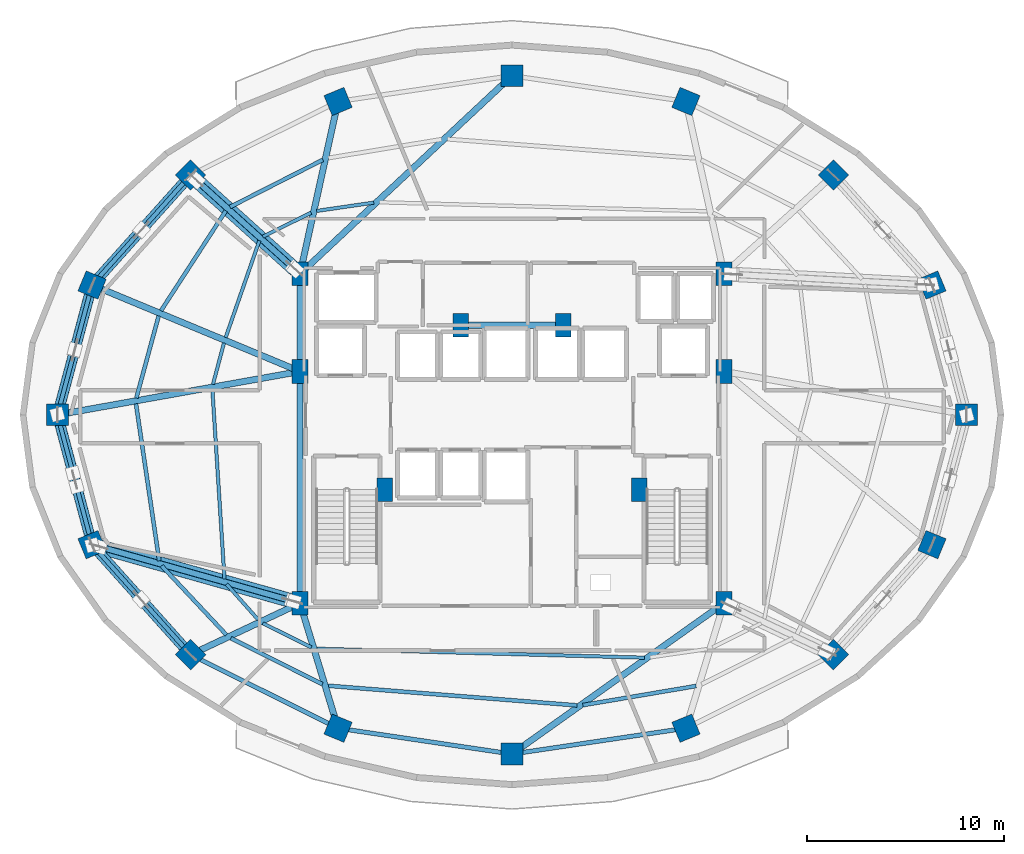
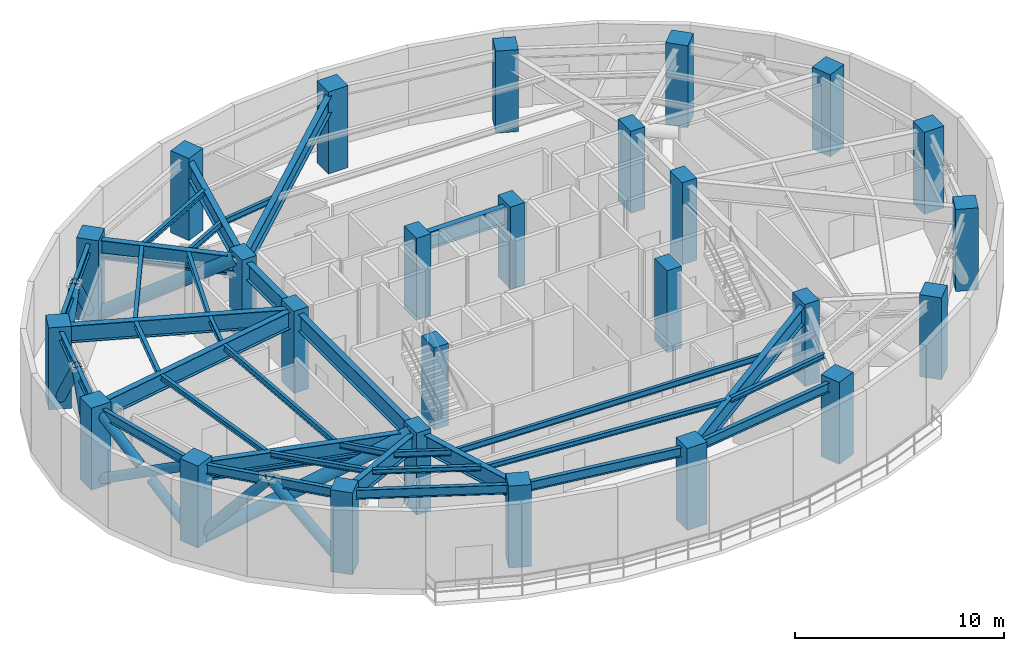
# One storey, part 1 of 11: 35 beams, 26 columns, 13 members.
"""IFC4 building model written with IfcOpenShell, lengths in metres."""

from ifc_helpers import new_model, si_unit, direction, frame, origin, origin_2d, place, context, subcontext, project, spatial, rectangle, hollow_rectangle, hollow_circle, i_section, extrude, material, material_profile, profile_set, type_object, element, save


model = new_model("IFC4")

# Units and contexts
model_context = context("Model", 3, precision=1e-05, world=origin(), true_north=direction((0.0, 1.0)))
body_context = subcontext(model_context, "Body", "Model", "MODEL_VIEW")
ifc_project = project(units=[si_unit("LENGTHUNIT", "METRE"), si_unit("AREAUNIT", "SQUARE_METRE"), si_unit("VOLUMEUNIT", "CUBIC_METRE"), si_unit("PLANEANGLEUNIT", "RADIAN"), si_unit("MASSUNIT", "GRAM", prefix="KILO")], contexts=[model_context])

# Site, building, storey
site_placement = place(None, origin())
site = spatial("IfcSite", under=ifc_project, at=site_placement, CompositionType="ELEMENT")
building_placement = place(site_placement, origin())
building = spatial("IfcBuilding", under=site, at=building_placement, Name="Vorneva Point Tower", CompositionType="ELEMENT")
storey_placement = place(building_placement, frame((0.0, 0.0, 124.300048828125)))
storey = spatial("IfcBuildingStorey", under=building, at=storey_placement, Name="L33", CompositionType="ELEMENT", Elevation=124.300048828125)

# Columns
ifc_material_1 = material(Name="Concrete B60 (C50/60)", Category="concrete")
ifc_material_profile_1 = material_profile(ifc_material_1, rectangle(XDim=1.10009765625, YDim=1.10009765625, at=origin_2d()), Name="RC-COL 1100x1100")
ifc_profile_set_1 = profile_set([ifc_material_profile_1], Name="Concrete B60 (C50/60)")
column_type_1 = type_object("IfcColumnType", Name="COL-RC1100", PredefinedType="COLUMN", material=ifc_profile_set_1)
for number, where, z_axis, x_axis, name in (
    (1, (61.050048828125, 26.0, 0.0), (0.0, 0.0, 1.0), (1.0, 0.0, 0.0), "L33 Perimeter Column P01"),
    (2, (59.29541015625, 32.582275390625, 0.0), (0.0, 0.0, 1.0), (0.923879532511, 0.382683432365, 0.0), "L33 Perimeter Column P02"),
    (3, (54.298828125, 38.162109375, 0.0), (0.0, 0.0, 1.0), (0.707106781187, 0.707106781187, 0.0), "L33 Perimeter Column P03"),
    (4, (46.82080078125, 41.890625, 0.0), (0.0, 0.0, 1.0), (0.382683432365, 0.923879532511, 0.0), "L33 Perimeter Column P04"),
    (5, (38.0, 43.199951171875, 0.0), (0.0, 0.0, 1.0), (0.0, 1.0, 0.0), "L33 Perimeter Column P05"),
    (6, (29.17919921875, 41.890625, 0.0), (0.0, 0.0, 1.0), (-0.382683432365, 0.923879532511, 0.0), "L33 Perimeter Column P06"),
    (7, (21.701171875, 38.162109375, 0.0), (0.0, 0.0, 1.0), (-0.707106781187, 0.707106781187, 0.0), "L33 Perimeter Column P07"),
    (8, (16.70458984375, 32.582275390625, 0.0), (0.0, 0.0, 1.0), (-0.923879532511, 0.382683432365, 0.0), "L33 Perimeter Column P08"),
    (9, (14.949951171875, 26.0, 0.0), (0.0, 0.0, 1.0), (-1.0, 0.0, 0.0), "L33 Perimeter Column P09"),
    (10, (16.70458984375, 19.417724609375, 0.0), (0.0, 0.0, 1.0), (-0.923879532511, -0.382683432365, 0.0), "L33 Perimeter Column P10"),
    (11, (21.701171875, 13.837890625, 0.0), (0.0, 0.0, 1.0), (-0.707106781187, -0.707106781187, 0.0), "L33 Perimeter Column P11"),
    (12, (29.17919921875, 10.109375, 0.0), (0.0, 0.0, 1.0), (-0.382683432365, -0.923879532511, 0.0), "L33 Perimeter Column P12"),
    (13, (38.0, 8.800048828125, 0.0), (0.0, 0.0, 1.0), (0.0, -1.0, 0.0), "L33 Perimeter Column P13"),
    (14, (46.82080078125, 10.109375, 0.0), (0.0, 0.0, 1.0), (0.382683432365, -0.923879532511, 0.0), "L33 Perimeter Column P14"),
    (15, (54.298828125, 13.837890625, 0.0), (0.0, 0.0, 1.0), (0.707106781187, -0.707106781187, 0.0), "L33 Perimeter Column P15"),
    (16, (59.29541015625, 19.417724609375, 0.0), (0.0, 0.0, 1.0), (0.923879532511, -0.382683432365, 0.0), "L33 Perimeter Column P16"),
):
    element("IfcColumn", number, at=place(storey_placement, frame(where, z_axis=z_axis, x_axis=x_axis)), inside=storey, type_object=column_type_1, Name=name, PredefinedType="COLUMN", context=body_context, shape_type="SweptSolid", body=[
        extrude(rectangle(XDim=1.10009765625, YDim=1.10009765625, at=origin_2d()), origin(), (0.0, 0.0, 1.0), 4.800048828125),
    ])
ifc_material_profile_2 = material_profile(ifc_material_1, rectangle(XDim=0.800048828125, YDim=1.199951171875, at=origin_2d()), Name="RC-PIL 1200x800")
ifc_profile_set_2 = profile_set([ifc_material_profile_2], Name="Concrete B60 (C50/60)")
column_type_2 = type_object("IfcColumnType", Name="PIL-RC1200x800", PredefinedType="PILASTER", material=ifc_profile_set_2)
for number, where, z_axis, x_axis, name in (
    (17, (27.25, 16.449951171875, 0.0), (0.0, 0.0, 1.0), (1.0, 0.0, 0.0), "L33 Core Pilaster CP1"),
    (18, (27.25, 28.199951171875, 0.0), (0.0, 0.0, 1.0), (1.0, 0.0, 0.0), "L33 Core Pilaster CP2"),
    (19, (27.25, 33.14990234375, 0.0), (0.0, 0.0, 1.0), (1.0, 0.0, 0.0), "L33 Core Pilaster CP3"),
    (20, (31.550048828125, 22.199951171875, 0.0), (0.0, 0.0, 1.0), (1.0, 0.0, 0.0), "L33 Core Pilaster CP4"),
    (21, (48.75, 33.14990234375, 0.0), (0.0, 0.0, 1.0), (1.0, 0.0, 0.0), "L33 Core Pilaster CP5"),
    (22, (48.75, 28.199951171875, 0.0), (0.0, 0.0, 1.0), (1.0, 0.0, 0.0), "L33 Core Pilaster CP6"),
    (23, (48.75, 16.449951171875, 0.0), (0.0, 0.0, 1.0), (1.0, 0.0, 0.0), "L33 Core Pilaster CP7"),
    (24, (44.449951171875, 22.199951171875, 0.0), (0.0, 0.0, 1.0), (1.0, 0.0, 0.0), "L33 Core Pilaster CP8"),
    (25, (35.39990234375, 30.550048828125, 0.0), (0.0, 0.0, 1.0), (1.0, 0.0, 0.0), "L33 Core Pilaster CP9"),
    (26, (40.60009765625, 30.550048828125, 0.0), (0.0, 0.0, 1.0), (1.0, 0.0, 0.0), "L33 Core Pilaster CP10"),
):
    element("IfcColumn", number, at=place(storey_placement, frame(where, z_axis=z_axis, x_axis=x_axis)), inside=storey, type_object=column_type_2, Name=name, PredefinedType="PILASTER", context=body_context, shape_type="SweptSolid", body=[
        extrude(rectangle(XDim=0.800048828125, YDim=1.199951171875, at=origin_2d()), origin(), (0.0, 0.0, 1.0), 4.800048828125),
    ])

# Beams
ifc_material_2 = material(Name="Steel S460", Category="steel")
ifc_material_profile_3 = material_profile(ifc_material_2, i_section(OverallWidth=0.320068359375, OverallDepth=0.998046875, WebThickness=0.01708984375, FlangeThickness=0.027099609375, at=origin_2d()), Name="100Sh2")
ifc_profile_set_3 = profile_set([ifc_material_profile_3], Name="Steel S460")
beam_type_1 = type_object("IfcBeamType", Name="BM-GRD-100Sh2", PredefinedType="USERDEFINED", material=ifc_profile_set_3)
beam_1_placement = place(storey_placement, frame((37.60693359375, 42.83251953125, 4.041015625), z_axis=(-0.730488863256, -0.682924608327, 0.0), x_axis=(0.682924608327, -0.730488863256, 0.0)))
element("IfcBeam", 27, at=beam_1_placement, inside=storey, type_object=beam_type_1, Name="L33 Radial Primary Girder 05", ObjectType="GIRDER", PredefinedType="USERDEFINED", context=body_context, shape_type="SweptSolid", body=[
    extrude(i_section(OverallWidth=0.320068359375, OverallDepth=0.998046875, WebThickness=0.01708984375, FlangeThickness=0.027099609375, at=origin_2d()), origin(), (0.0, 0.0, 1.0), 13.838134765625),
])
beam_2_placement = place(storey_placement, frame((29.063232421875, 41.365234375, 4.041015625), z_axis=(-0.215530944428, -0.976497010745, 0.0), x_axis=(0.976497010745, -0.215530944428, 0.0)))
element("IfcBeam", 28, at=beam_2_placement, inside=storey, type_object=beam_type_1, Name="L33 Radial Primary Girder 06", ObjectType="GIRDER", PredefinedType="USERDEFINED", context=body_context, shape_type="SweptSolid", body=[
    extrude(i_section(OverallWidth=0.320068359375, OverallDepth=0.998046875, WebThickness=0.01708984375, FlangeThickness=0.027099609375, at=origin_2d()), origin(), (0.0, 0.0, 1.0), 8.072998046875),
])
beam_3_placement = place(storey_placement, frame((22.100341796875, 37.801513671875, 4.041015625), z_axis=(0.742097300344, -0.670292172729, 0.0), x_axis=(0.670292172729, 0.742097300344, 0.0)))
element("IfcBeam", 29, at=beam_3_placement, inside=storey, type_object=beam_type_1, Name="L33 Radial Primary Girder 07", ObjectType="GIRDER", PredefinedType="USERDEFINED", context=body_context, shape_type="SweptSolid", body=[
    extrude(i_section(OverallWidth=0.320068359375, OverallDepth=0.998046875, WebThickness=0.01708984375, FlangeThickness=0.027099609375, at=origin_2d()), origin(), (0.0, 0.0, 1.0), 6.599365234375),
])
beam_4_placement = place(storey_placement, frame((17.201416015625, 32.375732421875, 4.041015625), z_axis=(0.923444451211, -0.383732127307, 0.0), x_axis=(0.383732127307, 0.923444451211, 0.0)))
element("IfcBeam", 30, at=beam_4_placement, inside=storey, type_object=beam_type_1, Name="L33 Radial Primary Girder 08", ObjectType="GIRDER", PredefinedType="USERDEFINED", context=body_context, shape_type="SweptSolid", body=[
    extrude(i_section(OverallWidth=0.320068359375, OverallDepth=0.998046875, WebThickness=0.01708984375, FlangeThickness=0.027099609375, at=origin_2d()), origin(), (0.0, 0.0, 1.0), 10.541748046875),
])
beam_5_placement = place(storey_placement, frame((15.4794921875, 26.0947265625, 4.041015625), z_axis=(0.984378310682, 0.176066298476, 0.0), x_axis=(-0.176066298476, 0.984378310682, 0.0)))
element("IfcBeam", 31, at=beam_5_placement, inside=storey, type_object=beam_type_1, Name="L33 Radial Primary Girder 09", ObjectType="GIRDER", PredefinedType="USERDEFINED", context=body_context, shape_type="SweptSolid", body=[
    extrude(i_section(OverallWidth=0.320068359375, OverallDepth=0.998046875, WebThickness=0.01708984375, FlangeThickness=0.027099609375, at=origin_2d()), origin(), (0.0, 0.0, 1.0), 11.6171875),
])
beam_6_placement = place(storey_placement, frame((17.222412109375, 19.272216796875, 4.041015625), z_axis=(0.962598038366, -0.270933601708, 0.0), x_axis=(0.270933601708, 0.962598038366, 0.0)))
element("IfcBeam", 32, at=beam_6_placement, inside=storey, type_object=beam_type_1, Name="L33 Radial Primary Girder 10", ObjectType="GIRDER", PredefinedType="USERDEFINED", context=body_context, shape_type="SweptSolid", body=[
    extrude(i_section(OverallWidth=0.320068359375, OverallDepth=0.998046875, WebThickness=0.01708984375, FlangeThickness=0.027099609375, at=origin_2d()), origin(), (0.0, 0.0, 1.0), 10.0771484375),
])
beam_7_placement = place(storey_placement, frame((22.18798828125, 14.06689453125, 4.041015625), z_axis=(0.904751304927, 0.425940226126, 0.0), x_axis=(-0.425940226126, 0.904751304927, 0.0)))
element("IfcBeam", 33, at=beam_7_placement, inside=storey, type_object=beam_type_1, Name="L33 Radial Primary Girder 11", ObjectType="GIRDER", PredefinedType="USERDEFINED", context=body_context, shape_type="SweptSolid", body=[
    extrude(i_section(OverallWidth=0.320068359375, OverallDepth=0.998046875, WebThickness=0.01708984375, FlangeThickness=0.027099609375, at=origin_2d()), origin(), (0.0, 0.0, 1.0), 5.2548828125),
])
beam_8_placement = place(storey_placement, frame((29.0224609375, 10.6240234375, 4.041015625), z_axis=(-0.291034888253, 0.956712440506, 0.0), x_axis=(-0.956712440506, -0.291034888253, 0.0)))
element("IfcBeam", 34, at=beam_8_placement, inside=storey, type_object=beam_type_1, Name="L33 Radial Primary Girder 12", ObjectType="GIRDER", PredefinedType="USERDEFINED", context=body_context, shape_type="SweptSolid", body=[
    extrude(i_section(OverallWidth=0.320068359375, OverallDepth=0.998046875, WebThickness=0.01708984375, FlangeThickness=0.027099609375, at=origin_2d()), origin(), (0.0, 0.0, 1.0), 5.74951171875),
])
beam_9_placement = place(storey_placement, frame((38.438232421875, 9.11181640625, 4.041015625), z_axis=(0.814750142675, 0.5798122153, 0.0), x_axis=(-0.5798122153, 0.814750142675, 0.0)))
element("IfcBeam", 35, at=beam_9_placement, inside=storey, type_object=beam_type_1, Name="L33 Radial Primary Girder 13", ObjectType="GIRDER", PredefinedType="USERDEFINED", context=body_context, shape_type="SweptSolid", body=[
    extrude(i_section(OverallWidth=0.320068359375, OverallDepth=0.998046875, WebThickness=0.01708984375, FlangeThickness=0.027099609375, at=origin_2d()), origin(), (0.0, 0.0, 1.0), 12.316162109375),
])
beam_10_placement = place(storey_placement, frame((27.25, 16.77001953125, 4.041015625), z_axis=(0.0, 1.0, 0.0), x_axis=(-1.0, 0.0, 0.0)))
element("IfcBeam", 36, at=beam_10_placement, inside=storey, type_object=beam_type_1, Name="L33 Core Tie Girder CT1", ObjectType="GIRDER", PredefinedType="USERDEFINED", context=body_context, shape_type="SweptSolid", body=[
    extrude(i_section(OverallWidth=0.320068359375, OverallDepth=0.998046875, WebThickness=0.01708984375, FlangeThickness=0.027099609375, at=origin_2d()), origin(), (0.0, 0.0, 1.0), 11.10986328125),
])
beam_11_placement = place(storey_placement, frame((27.25, 28.52001953125, 4.041015625), z_axis=(0.0, 1.0, 0.0), x_axis=(-1.0, 0.0, 0.0)))
element("IfcBeam", 37, at=beam_11_placement, inside=storey, type_object=beam_type_1, Name="L33 Core Tie Girder CT2", ObjectType="GIRDER", PredefinedType="USERDEFINED", context=body_context, shape_type="SweptSolid", body=[
    extrude(i_section(OverallWidth=0.320068359375, OverallDepth=0.998046875, WebThickness=0.01708984375, FlangeThickness=0.027099609375, at=origin_2d()), origin(), (0.0, 0.0, 1.0), 4.31005859375),
])
beam_12_placement = place(storey_placement, frame((35.719970703125, 30.550048828125, 4.041015625), z_axis=(1.0, 0.0, 0.0), x_axis=(0.0, 1.0, 0.0)))
element("IfcBeam", 38, at=beam_12_placement, inside=storey, type_object=beam_type_1, Name="L33 Core Tie Girder CT8", ObjectType="GIRDER", PredefinedType="USERDEFINED", context=body_context, shape_type="SweptSolid", body=[
    extrude(i_section(OverallWidth=0.320068359375, OverallDepth=0.998046875, WebThickness=0.01708984375, FlangeThickness=0.027099609375, at=origin_2d()), origin(), (0.0, 0.0, 1.0), 4.56005859375),
])
ifc_material_3 = material(Name="Steel S355", Category="steel")
ifc_material_profile_4 = material_profile(ifc_material_3, i_section(OverallWidth=0.199951171875, OverallDepth=0.291015625, WebThickness=0.008056640625, FlangeThickness=0.010986328125, at=origin_2d()), Name="30Sh1")
ifc_profile_set_4 = profile_set([ifc_material_profile_4], Name="Steel S355")
beam_type_2 = type_object("IfcBeamType", Name="BM-SEC-30Sh1", PredefinedType="BEAM", material=ifc_profile_set_4)
beam_13_placement = place(storey_placement, frame((28.4091796875, 38.933349609375, 4.39453125), z_axis=(-0.89153293494, -0.452955876347, 0.0), x_axis=(0.452955876347, -0.89153293494, 0.0)))
element("IfcBeam", 39, at=beam_13_placement, inside=storey, type_object=beam_type_2, Name="L33 Secondary Floor Beam 1.06", PredefinedType="BEAM", context=body_context, shape_type="SweptSolid", body=[
    extrude(i_section(OverallWidth=0.199951171875, OverallDepth=0.291015625, WebThickness=0.008056640625, FlangeThickness=0.010986328125, at=origin_2d()), origin(), (0.0, 0.0, 1.0), 5.280517578125),
])
beam_14_placement = place(storey_placement, frame((23.489013671875, 36.350341796875, 4.39453125), z_axis=(-0.544411108099, -0.838818541389, 0.0), x_axis=(0.838818541389, -0.544411108099, 0.0)))
element("IfcBeam", 40, at=beam_14_placement, inside=storey, type_object=beam_type_2, Name="L33 Secondary Floor Beam 1.07", PredefinedType="BEAM", context=body_context, shape_type="SweptSolid", body=[
    extrude(i_section(OverallWidth=0.199951171875, OverallDepth=0.291015625, WebThickness=0.008056640625, FlangeThickness=0.010986328125, at=origin_2d()), origin(), (0.0, 0.0, 1.0), 6.037109375),
])
beam_15_placement = place(storey_placement, frame((20.0830078125, 31.019287109375, 4.39453125), z_axis=(-0.262471732152, -0.96493968196, 0.0), x_axis=(0.96493968196, -0.262471732152, 0.0)))
element("IfcBeam", 41, at=beam_15_placement, inside=storey, type_object=beam_type_2, Name="L33 Secondary Floor Beam 1.08", PredefinedType="BEAM", context=body_context, shape_type="SweptSolid", body=[
    extrude(i_section(OverallWidth=0.199951171875, OverallDepth=0.291015625, WebThickness=0.008056640625, FlangeThickness=0.010986328125, at=origin_2d()), origin(), (0.0, 0.0, 1.0), 4.319580078125),
])
beam_16_placement = place(storey_placement, frame((18.931884765625, 26.56201171875, 4.39453125), z_axis=(0.146468415765, -0.989215347224, 0.0), x_axis=(0.989215347224, 0.146468415765, 0.0)))
element("IfcBeam", 42, at=beam_16_placement, inside=storey, type_object=beam_type_2, Name="L33 Secondary Floor Beam 1.09", PredefinedType="BEAM", context=body_context, shape_type="SweptSolid", body=[
    extrude(i_section(OverallWidth=0.199951171875, OverallDepth=0.291015625, WebThickness=0.008056640625, FlangeThickness=0.010986328125, at=origin_2d()), origin(), (0.0, 0.0, 1.0), 8.04931640625),
])
beam_17_placement = place(storey_placement, frame((20.23388671875, 18.34521484375, 4.39453125), z_axis=(0.683851365985, -0.729621346481, 0.0), x_axis=(0.729621346481, 0.683851365985, 0.0)))
element("IfcBeam", 43, at=beam_17_placement, inside=storey, type_object=beam_type_2, Name="L33 Secondary Floor Beam 1.10", PredefinedType="BEAM", context=body_context, shape_type="SweptSolid", body=[
    extrude(i_section(OverallWidth=0.199951171875, OverallDepth=0.291015625, WebThickness=0.008056640625, FlangeThickness=0.010986328125, at=origin_2d()), origin(), (0.0, 0.0, 1.0), 4.79541015625),
])
beam_18_placement = place(storey_placement, frame((23.74658203125, 14.672119140625, 4.39453125), z_axis=(0.893598428957, -0.448867294159, 0.0), x_axis=(0.448867294159, 0.893598428957, 0.0)))
element("IfcBeam", 44, at=beam_18_placement, inside=storey, type_object=beam_type_2, Name="L33 Secondary Floor Beam 1.11", PredefinedType="BEAM", context=body_context, shape_type="SweptSolid", body=[
    extrude(i_section(OverallWidth=0.199951171875, OverallDepth=0.291015625, WebThickness=0.008056640625, FlangeThickness=0.010986328125, at=origin_2d()), origin(), (0.0, 0.0, 1.0), 5.1943359375),
])
beam_19_placement = place(storey_placement, frame((28.66796875, 12.2626953125, 4.39453125), z_axis=(0.996901489016, -0.078660162711, 0.0), x_axis=(0.078660162711, 0.996901489016, 0.0)))
element("IfcBeam", 45, at=beam_19_placement, inside=storey, type_object=beam_type_2, Name="L33 Secondary Floor Beam 1.12", PredefinedType="BEAM", context=body_context, shape_type="SweptSolid", body=[
    extrude(i_section(OverallWidth=0.199951171875, OverallDepth=0.291015625, WebThickness=0.008056640625, FlangeThickness=0.010986328125, at=origin_2d()), origin(), (0.0, 0.0, 1.0), 12.672607421875),
])
beam_20_placement = place(storey_placement, frame((41.594482421875, 11.27880859375, 4.39453125), z_axis=(0.985995426294, 0.166772357806, 0.0), x_axis=(-0.166772357806, 0.985995426294, 0.0)))
element("IfcBeam", 46, at=beam_20_placement, inside=storey, type_object=beam_type_2, Name="L33 Secondary Floor Beam 1.13", PredefinedType="BEAM", context=body_context, shape_type="SweptSolid", body=[
    extrude(i_section(OverallWidth=0.199951171875, OverallDepth=0.291015625, WebThickness=0.008056640625, FlangeThickness=0.010986328125, at=origin_2d()), origin(), (0.0, 0.0, 1.0), 5.820556640625),
])
ifc_material_profile_5 = material_profile(ifc_material_3, i_section(OverallWidth=0.174072265625, OverallDepth=0.345947265625, WebThickness=0.006103515625, FlangeThickness=0.009033203125, at=origin_2d()), Name="35B1")
ifc_profile_set_5 = profile_set([ifc_material_profile_5], Name="Steel S355")
beam_type_3 = type_object("IfcBeamType", Name="BM-SEC-35B1", PredefinedType="BEAM", material=ifc_profile_set_5)
beam_21_placement = place(storey_placement, frame((30.990966796875, 36.762939453125, 4.366943359375), z_axis=(-0.989558538427, -0.144131533766, 0.0), x_axis=(0.144131533766, -0.989558538427, 0.0)))
element("IfcBeam", 47, at=beam_21_placement, inside=storey, type_object=beam_type_3, Name="L33 Secondary Floor Beam 2.05", PredefinedType="BEAM", context=body_context, shape_type="SweptSolid", body=[
    extrude(i_section(OverallWidth=0.174072265625, OverallDepth=0.345947265625, WebThickness=0.006103515625, FlangeThickness=0.009033203125, at=origin_2d()), origin(), (0.0, 0.0, 1.0), 2.92529296875),
])
beam_22_placement = place(storey_placement, frame((27.817138671875, 36.254150390625, 4.366943359375), z_axis=(-0.895477689977, -0.445106399363, 0.0), x_axis=(0.445106399363, -0.895477689977, 0.0)))
element("IfcBeam", 48, at=beam_22_placement, inside=storey, type_object=beam_type_3, Name="L33 Secondary Floor Beam 2.06", PredefinedType="BEAM", context=body_context, shape_type="SweptSolid", body=[
    extrude(i_section(OverallWidth=0.174072265625, OverallDepth=0.345947265625, WebThickness=0.006103515625, FlangeThickness=0.009033203125, at=origin_2d()), origin(), (0.0, 0.0, 1.0), 2.73583984375),
])
beam_23_placement = place(storey_placement, frame((25.18603515625, 34.83056640625, 4.366943359375), z_axis=(-0.328529743504, -0.944493624983, 0.0), x_axis=(0.944493624983, -0.328529743504, 0.0)))
element("IfcBeam", 49, at=beam_23_placement, inside=storey, type_object=beam_type_3, Name="L33 Secondary Floor Beam 2.07", PredefinedType="BEAM", context=body_context, shape_type="SweptSolid", body=[
    extrude(i_section(OverallWidth=0.174072265625, OverallDepth=0.345947265625, WebThickness=0.006103515625, FlangeThickness=0.009033203125, at=origin_2d()), origin(), (0.0, 0.0, 1.0), 5.192138671875),
])
beam_24_placement = place(storey_placement, frame((23.3935546875, 29.643798828125, 4.366943359375), z_axis=(-0.256780092362, -0.966469856833, 0.0), x_axis=(0.966469856833, -0.256780092362, 0.0)))
element("IfcBeam", 50, at=beam_24_placement, inside=storey, type_object=beam_type_3, Name="L33 Secondary Floor Beam 2.08", PredefinedType="BEAM", context=body_context, shape_type="SweptSolid", body=[
    extrude(i_section(OverallWidth=0.174072265625, OverallDepth=0.345947265625, WebThickness=0.006103515625, FlangeThickness=0.009033203125, at=origin_2d()), origin(), (0.0, 0.0, 1.0), 2.169677734375),
])
beam_25_placement = place(storey_placement, frame((22.807861328125, 27.256103515625, 4.366943359375), z_axis=(0.063862847516, -0.99795868487, 0.0), x_axis=(0.99795868487, 0.063862847516, 0.0)))
element("IfcBeam", 51, at=beam_25_placement, inside=storey, type_object=beam_type_3, Name="L33 Secondary Floor Beam 2.09", PredefinedType="BEAM", context=body_context, shape_type="SweptSolid", body=[
    extrude(i_section(OverallWidth=0.174072265625, OverallDepth=0.345947265625, WebThickness=0.006103515625, FlangeThickness=0.009033203125, at=origin_2d()), origin(), (0.0, 0.0, 1.0), 9.60302734375),
])
beam_26_placement = place(storey_placement, frame((23.52880859375, 17.414306640625, 4.366943359375), z_axis=(0.664370116286, -0.747403738675, 0.0), x_axis=(0.747403738675, 0.664370116286, 0.0)))
element("IfcBeam", 52, at=beam_26_placement, inside=storey, type_object=beam_type_3, Name="L33 Secondary Floor Beam 2.10", PredefinedType="BEAM", context=body_context, shape_type="SweptSolid", body=[
    extrude(i_section(OverallWidth=0.174072265625, OverallDepth=0.345947265625, WebThickness=0.006103515625, FlangeThickness=0.009033203125, at=origin_2d()), origin(), (0.0, 0.0, 1.0), 2.4140625),
])
beam_27_placement = place(storey_placement, frame((25.36328125, 15.43359375, 4.366943359375), z_axis=(0.895120212306, -0.445824859693, 0.0), x_axis=(0.445824859693, 0.895120212306, 0.0)))
element("IfcBeam", 53, at=beam_27_placement, inside=storey, type_object=beam_type_3, Name="L33 Secondary Floor Beam 2.11", PredefinedType="BEAM", context=body_context, shape_type="SweptSolid", body=[
    extrude(i_section(OverallWidth=0.174072265625, OverallDepth=0.345947265625, WebThickness=0.006103515625, FlangeThickness=0.009033203125, at=origin_2d()), origin(), (0.0, 0.0, 1.0), 2.74365234375),
])
beam_28_placement = place(storey_placement, frame((28.099365234375, 14.140380859375, 4.366943359375), z_axis=(0.99962664507, -0.027323441686, 0.0), x_axis=(0.027323441686, 0.99962664507, 0.0)))
element("IfcBeam", 54, at=beam_28_placement, inside=storey, type_object=beam_type_3, Name="L33 Secondary Floor Beam 2.12", PredefinedType="BEAM", context=body_context, shape_type="SweptSolid", body=[
    extrude(i_section(OverallWidth=0.174072265625, OverallDepth=0.345947265625, WebThickness=0.006103515625, FlangeThickness=0.009033203125, at=origin_2d()), origin(), (0.0, 0.0, 1.0), 16.619384765625),
])
ifc_material_profile_6 = material_profile(ifc_material_3, i_section(OverallWidth=0.219970703125, OverallDepth=0.54296875, WebThickness=0.009521484375, FlangeThickness=0.013427734375, at=origin_2d()), Name="55B1")
ifc_profile_set_6 = profile_set([ifc_material_profile_6], Name="Steel S355")
beam_type_4 = type_object("IfcBeamType", Name="BM-SPN-55B1", PredefinedType="SPANDREL", material=ifc_profile_set_6)
beam_29_placement = place(storey_placement, frame((21.34423828125, 37.763671875, 4.2685546875), z_axis=(-0.667073815664, -0.744991627105, 0.0), x_axis=(0.744991627105, -0.667073815664, 0.0)))
element("IfcBeam", 55, at=beam_29_placement, inside=storey, type_object=beam_type_4, Name="L33 Perimeter Spandrel Ring Beam 07", PredefinedType="SPANDREL", context=body_context, shape_type="SweptSolid", body=[
    extrude(i_section(OverallWidth=0.219970703125, OverallDepth=0.54296875, WebThickness=0.009521484375, FlangeThickness=0.013427734375, at=origin_2d()), origin(), (0.0, 0.0, 1.0), 6.420166015625),
])
for number, where, z_axis, x_axis, name in (
    (56, (16.56689453125, 32.065185546875, 4.2685546875), (-0.257572674071, -0.966258928845, 0.0), (0.966258928845, -0.257572674071, 0.0), "L33 Perimeter Spandrel Ring Beam 08"),
    (57, (15.087890625, 25.483154296875, 4.2685546875), (0.257572674071, -0.966258928845, 0.0), (0.966258928845, 0.257572674071, 0.0), "L33 Perimeter Spandrel Ring Beam 09"),
):
    element("IfcBeam", number, at=place(storey_placement, frame(where, z_axis=z_axis, x_axis=x_axis)), inside=storey, type_object=beam_type_4, Name=name, PredefinedType="SPANDREL", context=body_context, shape_type="SweptSolid", body=[
        extrude(i_section(OverallWidth=0.219970703125, OverallDepth=0.54296875, WebThickness=0.009521484375, FlangeThickness=0.013427734375, at=origin_2d()), origin(), (0.0, 0.0, 1.0), 5.7421875),
    ])
beam_30_placement = place(storey_placement, frame((17.0615234375, 19.019287109375, 4.2685546875), z_axis=(0.667073815664, -0.744991627105, 0.0), x_axis=(0.744991627105, 0.667073815664, 0.0)))
element("IfcBeam", 58, at=beam_30_placement, inside=storey, type_object=beam_type_4, Name="L33 Perimeter Spandrel Ring Beam 10", PredefinedType="SPANDREL", context=body_context, shape_type="SweptSolid", body=[
    extrude(i_section(OverallWidth=0.219970703125, OverallDepth=0.54296875, WebThickness=0.009521484375, FlangeThickness=0.013427734375, at=origin_2d()), origin(), (0.0, 0.0, 1.0), 6.420166015625),
])
beam_31_placement = place(storey_placement, frame((22.179931640625, 13.59912109375, 4.2685546875), z_axis=(0.894915882304, -0.446234874926, 0.0), x_axis=(0.446234874926, 0.894915882304, 0.0)))
element("IfcBeam", 59, at=beam_31_placement, inside=storey, type_object=beam_type_4, Name="L33 Perimeter Spandrel Ring Beam 11", PredefinedType="SPANDREL", context=body_context, shape_type="SweptSolid", body=[
    extrude(i_section(OverallWidth=0.219970703125, OverallDepth=0.54296875, WebThickness=0.009521484375, FlangeThickness=0.013427734375, at=origin_2d()), origin(), (0.0, 0.0, 1.0), 7.285888671875),
])
for number, where, z_axis, x_axis, name in (
    (60, (29.708251953125, 10.03076171875, 4.2685546875), (0.989164507783, -0.146811363806, 0.0), (0.146811363806, 0.989164507783, 0.0), "L33 Perimeter Spandrel Ring Beam 12"),
    (61, (38.529296875, 8.878662109375, 4.2685546875), (0.989164507783, 0.146811363806, 0.0), (-0.146811363806, 0.989164507783, 0.0), "L33 Perimeter Spandrel Ring Beam 13"),
):
    element("IfcBeam", number, at=place(storey_placement, frame(where, z_axis=z_axis, x_axis=x_axis)), inside=storey, type_object=beam_type_4, Name=name, PredefinedType="SPANDREL", context=body_context, shape_type="SweptSolid", body=[
        extrude(i_section(OverallWidth=0.219970703125, OverallDepth=0.54296875, WebThickness=0.009521484375, FlangeThickness=0.013427734375, at=origin_2d()), origin(), (0.0, 0.0, 1.0), 7.847412109375),
    ])

# Members
ifc_material_profile_7 = material_profile(ifc_material_2, hollow_circle(Radius=0.264892578125, WallThickness=0.02001953125, at=origin_2d()), Name="CHS 530x20")
ifc_profile_set_7 = profile_set([ifc_material_profile_7], Name="Steel S460")
member_type_1 = type_object("IfcMemberType", Name="MBR-BLT-CHS530", PredefinedType="BRACE", material=ifc_profile_set_7)
for number, where, z_axis, x_axis, name in (
    (62, (21.701171875, 38.162109375, 0.119873046875), (-0.439873505641, -0.491198529166, 0.751821324505), (0.744954798906, -0.66711494331, 0.0), "L33 Perimeter Belt-Truss Diagonal 07A"),
    (63, (16.70458984375, 32.582275390625, 0.119873046875), (0.439864217796, 0.491231142478, 0.751805449942), (-0.744983810219, 0.6670825455, 0.0), "L33 Perimeter Belt-Truss Diagonal 07B"),
):
    element("IfcMember", number, at=place(storey_placement, frame(where, z_axis=z_axis, x_axis=x_axis)), inside=storey, type_object=member_type_1, Name=name, PredefinedType="BRACE", context=body_context, shape_type="SweptSolid", body=[
        extrude(hollow_circle(Radius=0.264892578125, WallThickness=0.02001953125, at=origin_2d()), origin(), (0.0, 0.0, 1.0), 5.6796875),
    ])
member_1_placement = place(storey_placement, frame((16.70458984375, 32.582275390625, 0.119873046875), z_axis=(-0.160596005205, -0.602559072132, 0.781748992774), x_axis=(0.96626943078, -0.257533273851, 0.0)))
element("IfcMember", 64, at=member_1_placement, inside=storey, type_object=member_type_1, Name="L33 Perimeter Belt-Truss Diagonal 08A", PredefinedType="BRACE", context=body_context, shape_type="SweptSolid", body=[
    extrude(hollow_circle(Radius=0.264892578125, WallThickness=0.02001953125, at=origin_2d()), origin(), (0.0, 0.0, 1.0), 5.462158203125),
])
member_2_placement = place(storey_placement, frame((14.949951171875, 26.0, 0.119873046875), z_axis=(0.160643875249, 0.602526276669, 0.78176443464), x_axis=(-0.966246835672, 0.257618036158, 0.0)))
element("IfcMember", 65, at=member_2_placement, inside=storey, type_object=member_type_1, Name="L33 Perimeter Belt-Truss Diagonal 08B", PredefinedType="BRACE", context=body_context, shape_type="SweptSolid", body=[
    extrude(hollow_circle(Radius=0.264892578125, WallThickness=0.02001953125, at=origin_2d()), origin(), (0.0, 0.0, 1.0), 5.4619140625),
])
member_3_placement = place(storey_placement, frame((14.949951171875, 26.0, 0.119873046875), z_axis=(0.218244426041, -0.81871267156, 0.531111035406), x_axis=(0.966258134442, 0.257575654176, 0.0)))
element("IfcMember", 66, at=member_3_placement, inside=storey, type_object=member_type_1, Name="L33 Perimeter Belt-Truss Continuous X-Brace 09A", PredefinedType="BRACE", context=body_context, shape_type="SweptSolid", body=[
    extrude(hollow_circle(Radius=0.264892578125, WallThickness=0.02001953125, at=origin_2d()), origin(), (0.0, 0.0, 1.0), 8.039794921875),
])
for number, where, z_axis, x_axis, name in (
    (67, (16.70458984375, 19.417724609375, 0.119873046875), (-0.218231606763, 0.818709512247, 0.53112117296), (-0.966261652504, -0.257562456311, 0.0), "L33 Perimeter Belt-Truss Split X-Brace 09B1"),
    (68, (15.731201171875, 23.069091796875, 2.48876953125), (-0.218239511268, 0.818739166489, 0.5310722107), (-0.966261652504, -0.257562456311, 0.0), "L33 Perimeter Belt-Truss Split X-Brace 09B2"),
):
    element("IfcMember", number, at=place(storey_placement, frame(where, z_axis=z_axis, x_axis=x_axis)), inside=storey, type_object=member_type_1, Name=name, PredefinedType="BRACE", context=body_context, shape_type="SweptSolid", body=[
        extrude(hollow_circle(Radius=0.264892578125, WallThickness=0.02001953125, at=origin_2d()), origin(), (0.0, 0.0, 1.0), 3.579833984375),
    ])
for number, where, z_axis, x_axis, name in (
    (69, (16.70458984375, 19.417724609375, 0.119873046875), (0.439864217796, -0.491231142478, 0.751805449942), (0.744983810219, 0.6670825455, 0.0), "L33 Perimeter Belt-Truss Diagonal 10A"),
    (70, (21.701171875, 13.837890625, 0.119873046875), (-0.439873505641, 0.491198529166, 0.751821324505), (-0.744954798906, -0.66711494331, 0.0), "L33 Perimeter Belt-Truss Diagonal 10B"),
):
    element("IfcMember", number, at=place(storey_placement, frame(where, z_axis=z_axis, x_axis=x_axis)), inside=storey, type_object=member_type_1, Name=name, PredefinedType="BRACE", context=body_context, shape_type="SweptSolid", body=[
        extrude(hollow_circle(Radius=0.264892578125, WallThickness=0.02001953125, at=origin_2d()), origin(), (0.0, 0.0, 1.0), 5.6796875),
    ])
ifc_material_profile_8 = material_profile(ifc_material_2, hollow_circle(Radius=0.360107421875, WallThickness=0.02490234375, at=origin_2d()), Name="CHS 720x25")
ifc_profile_set_8 = profile_set([ifc_material_profile_8], Name="Steel S460")
member_type_2 = type_object("IfcMemberType", Name="MBR-OUT-CHS720", PredefinedType="BRACE", material=ifc_profile_set_8)
member_4_placement = place(storey_placement, frame((26.990234375, 33.384521484375, 4.389892578125), z_axis=(-0.627851042983, 0.56713845669, -0.533063822416), x_axis=(-0.670316975047, -0.742074897139, 0.0)))
element("IfcMember", 71, at=member_4_placement, inside=storey, type_object=member_type_2, Name="L33 Core Outrigger Diagonal 07A", PredefinedType="BRACE", context=body_context, shape_type="SweptSolid", body=[
    extrude(hollow_circle(Radius=0.360107421875, WallThickness=0.02490234375, at=origin_2d()), origin(), (0.0, 0.0, 1.0), 8.01025390625),
])
member_5_placement = place(storey_placement, frame((26.9130859375, 16.544921875, 4.389892578125), z_axis=(-0.888650734922, 0.250085490248, -0.384391881926), x_axis=(-0.270898627037, -0.962607881678, 0.0)))
element("IfcMember", 72, at=member_5_placement, inside=storey, type_object=member_type_2, Name="L33 Core Outrigger Diagonal 10A", PredefinedType="BRACE", context=body_context, shape_type="SweptSolid", body=[
    extrude(hollow_circle(Radius=0.360107421875, WallThickness=0.02490234375, at=origin_2d()), origin(), (0.0, 0.0, 1.0), 11.1083984375),
])
ifc_material_profile_9 = material_profile(ifc_material_3, hollow_rectangle(XDim=0.300048828125, YDim=0.300048828125, WallThickness=0.013916015625, at=origin_2d()), Name="PK 300x300x14")
ifc_profile_set_9 = profile_set([ifc_material_profile_9], Name="Steel S355")
member_type_3 = type_object("IfcMemberType", Name="MBR-STR-PK300", PredefinedType="STRUT", material=ifc_profile_set_9)
member_6_placement = place(storey_placement, frame((26.916015625, 33.45166015625, 3.570068359375), z_axis=(-0.742071075334, 0.670321205955, 0.0), x_axis=(-0.670321205955, -0.742071075334, 0.0)))
element("IfcMember", 73, at=member_6_placement, inside=storey, type_object=member_type_3, Name="L33 Core Outrigger Collector Strut 07B", PredefinedType="STRUT", context=body_context, shape_type="SweptSolid", body=[
    extrude(hollow_rectangle(XDim=0.300048828125, YDim=0.300048828125, WallThickness=0.013916015625, at=origin_2d()), origin(), (0.0, 0.0, 1.0), 6.577392578125),
])
member_7_placement = place(storey_placement, frame((26.81689453125, 16.572021484375, 3.570068359375), z_axis=(-0.962609399947, 0.270893231983, 0.0), x_axis=(-0.270893231983, -0.962609399947, 0.0)))
element("IfcMember", 74, at=member_7_placement, inside=storey, type_object=member_type_3, Name="L33 Core Outrigger Collector Strut 10B", PredefinedType="STRUT", context=body_context, shape_type="SweptSolid", body=[
    extrude(hollow_rectangle(XDim=0.300048828125, YDim=0.300048828125, WallThickness=0.013916015625, at=origin_2d()), origin(), (0.0, 0.0, 1.0), 10.05517578125),
])

save(model, "model.ifc")
